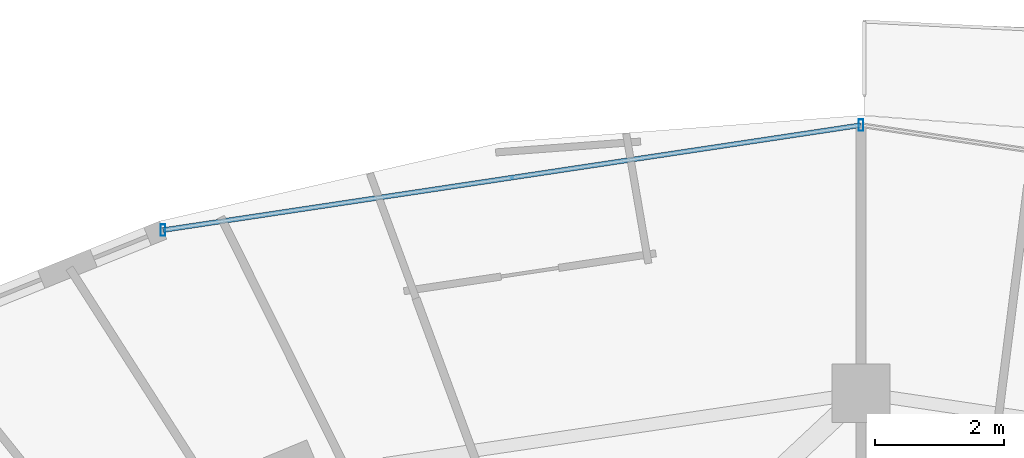
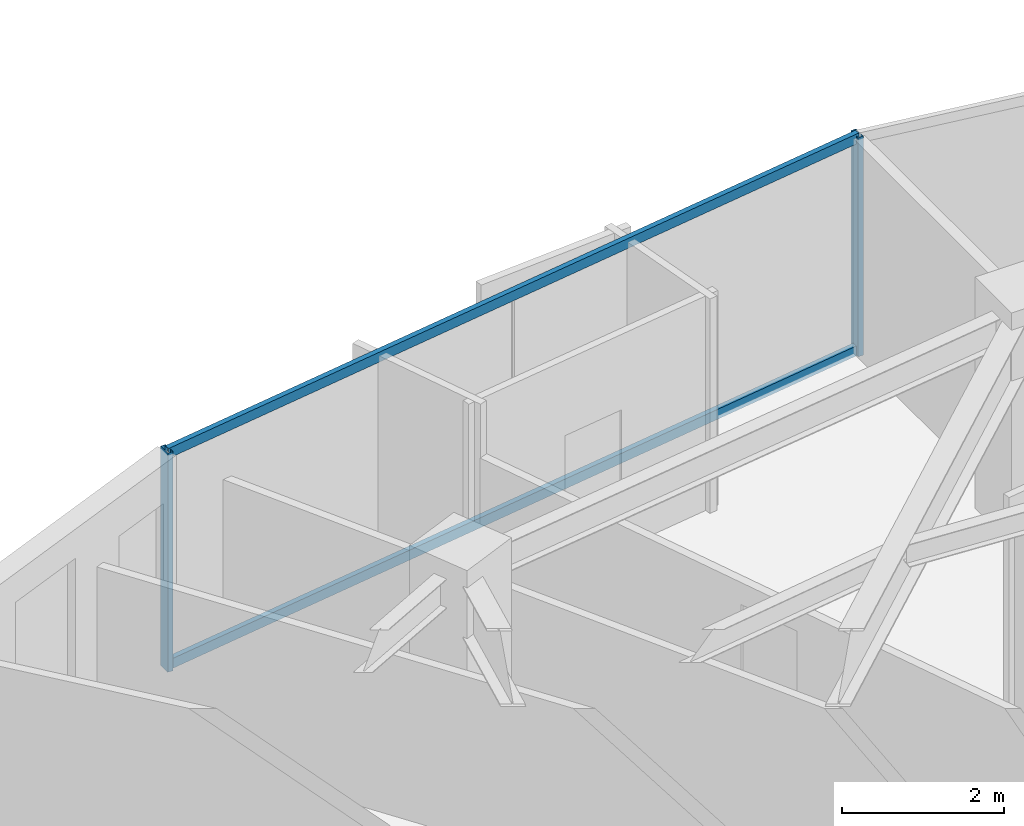
# One storey, part 19 of 34: 4 members, 1 element without a shape of its own.
"""IFC4 building model written with IfcOpenShell, lengths in metres."""

from ifc_helpers import new_model, si_unit, direction, frame, origin, origin_2d, place, context, subcontext, project, spatial, hollow_rectangle, extrude, material, material_profile, profile_set, type_object, element, aggregate, save


model = new_model("IFC4")

# Units and contexts
model_context = context("Model", 3, precision=1e-05, world=origin(), true_north=direction((0.0, 1.0)))
body_context = subcontext(model_context, "Body", "Model", "MODEL_VIEW")
ifc_project = project(units=[si_unit("LENGTHUNIT", "METRE"), si_unit("AREAUNIT", "SQUARE_METRE"), si_unit("VOLUMEUNIT", "CUBIC_METRE"), si_unit("PLANEANGLEUNIT", "RADIAN"), si_unit("MASSUNIT", "GRAM", prefix="KILO")], contexts=[model_context])

# Site, building, storey
site_placement = place(None, origin())
site = spatial("IfcSite", under=ifc_project, at=site_placement, CompositionType="ELEMENT")
building_placement = place(site_placement, origin())
building = spatial("IfcBuilding", under=site, at=building_placement, Name="Vorneva Point Tower", CompositionType="ELEMENT")
storey_placement = place(building_placement, frame((0.0, 0.0, 182.60009765625)))
storey = spatial("IfcBuildingStorey", under=building, at=storey_placement, Name="L49", CompositionType="ELEMENT", Elevation=182.60009765625)

# Curtain wall, members
ifc_material = material(Name="Pale anodised aluminium", Category="aluminium")
curtain_wall_type = type_object("IfcCurtainWallType", Name="CW-RES-SYS", PredefinedType="NOTDEFINED", material=ifc_material)
curtain_wall_placement = place(storey_placement, origin())
curtain_wall = element("IfcCurtainWall", 1, at=curtain_wall_placement, inside=storey, type_object=curtain_wall_type, Name="L49 Unitised Curtain Wall CW-L49-R01", PredefinedType="NOTDEFINED")
ifc_material_profile_1 = material_profile(ifc_material, hollow_rectangle(XDim=0.074951171875, YDim=0.179931640625, WallThickness=0.00390625, at=origin_2d()), Name="AL-MUL 180x75x4")
ifc_profile_set_1 = profile_set([ifc_material_profile_1], Name="Pale anodised aluminium")
member_type_1 = type_object("IfcMemberType", Name="CW-MUL-180", PredefinedType="MULLION", material=ifc_profile_set_1)
member_1_placement = place(storey_placement, frame((38.0, 47.35009765625, -0.0400390625), z_axis=(0.0, 0.0, 1.0), x_axis=(1.0, 0.0, 0.0)))
member_1 = element("IfcMember", 2, at=member_1_placement, type_object=member_type_1, Name="CW-L49-R01 Mullion 04", PredefinedType="MULLION", context=body_context, shape_type="SweptSolid", body=[
    extrude(hollow_rectangle(XDim=0.074951171875, YDim=0.179931640625, WallThickness=0.00390625, at=origin_2d()), origin(), (0.0, 0.0, 1.0), 3.31005859375),
])
member_2_placement = place(storey_placement, frame((27.19677734375, 45.724853515625, -0.0400390625), z_axis=(0.0, 0.0, 1.0), x_axis=(1.0, 0.0, 0.0)))
member_2 = element("IfcMember", 3, at=member_2_placement, type_object=member_type_1, Name="CW-L49-R01 Mullion 05", PredefinedType="MULLION", context=body_context, shape_type="SweptSolid", body=[
    extrude(hollow_rectangle(XDim=0.074951171875, YDim=0.179931640625, WallThickness=0.00390625, at=origin_2d()), origin(), (0.0, 0.0, 1.0), 3.31005859375),
])
ifc_material_profile_2 = material_profile(ifc_material, hollow_rectangle(XDim=0.074951171875, YDim=0.14990234375, WallThickness=0.00390625, at=origin_2d()), Name="AL-TRN 150x75x4")
ifc_profile_set_2 = profile_set([ifc_material_profile_2], Name="Pale anodised aluminium")
member_type_2 = type_object("IfcMemberType", Name="CW-TRN-150", PredefinedType="USERDEFINED", material=ifc_profile_set_2)
member_3_placement = place(storey_placement, frame((38.0, 47.35009765625, 0.02001953125), z_axis=(-0.988872333273, -0.148766624239, 0.0), x_axis=(0.148766624239, -0.988872333273, 0.0)))
member_3 = element("IfcMember", 4, at=member_3_placement, type_object=member_type_2, Name="CW-L49-R01 Transom 04.1", ObjectType="TRANSOM", PredefinedType="USERDEFINED", context=body_context, shape_type="SweptSolid", body=[
    extrude(hollow_rectangle(XDim=0.074951171875, YDim=0.14990234375, WallThickness=0.00390625, at=origin_2d()), origin(), (0.0, 0.0, 1.0), 10.9248046875),
])
member_4_placement = place(storey_placement, frame((38.0, 47.35009765625, 3.219970703125), z_axis=(-0.988872333273, -0.148766624239, 0.0), x_axis=(0.148766624239, -0.988872333273, 0.0)))
member_4 = element("IfcMember", 5, at=member_4_placement, type_object=member_type_2, Name="CW-L49-R01 Transom 04.2", ObjectType="TRANSOM", PredefinedType="USERDEFINED", context=body_context, shape_type="SweptSolid", body=[
    extrude(hollow_rectangle(XDim=0.074951171875, YDim=0.14990234375, WallThickness=0.00390625, at=origin_2d()), origin(), (0.0, 0.0, 1.0), 10.9248046875),
])
aggregate(curtain_wall, [member_1, member_2, member_3, member_4])

save(model, "model.ifc")
